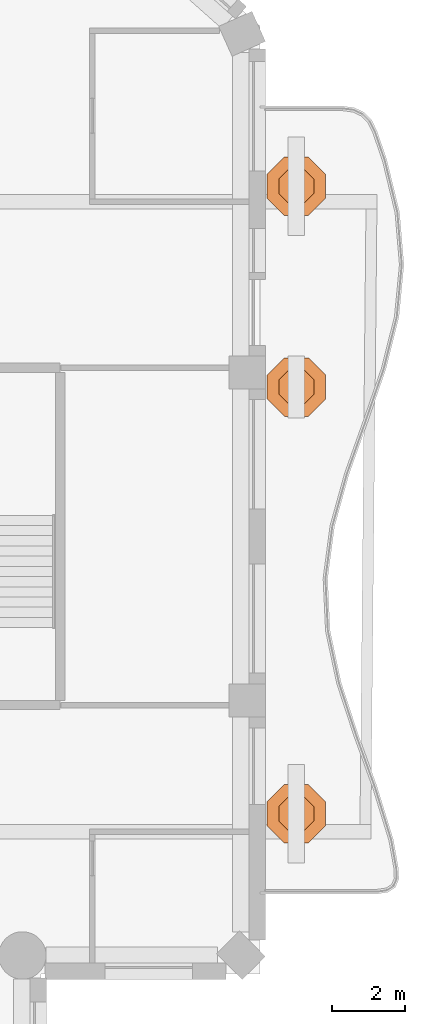
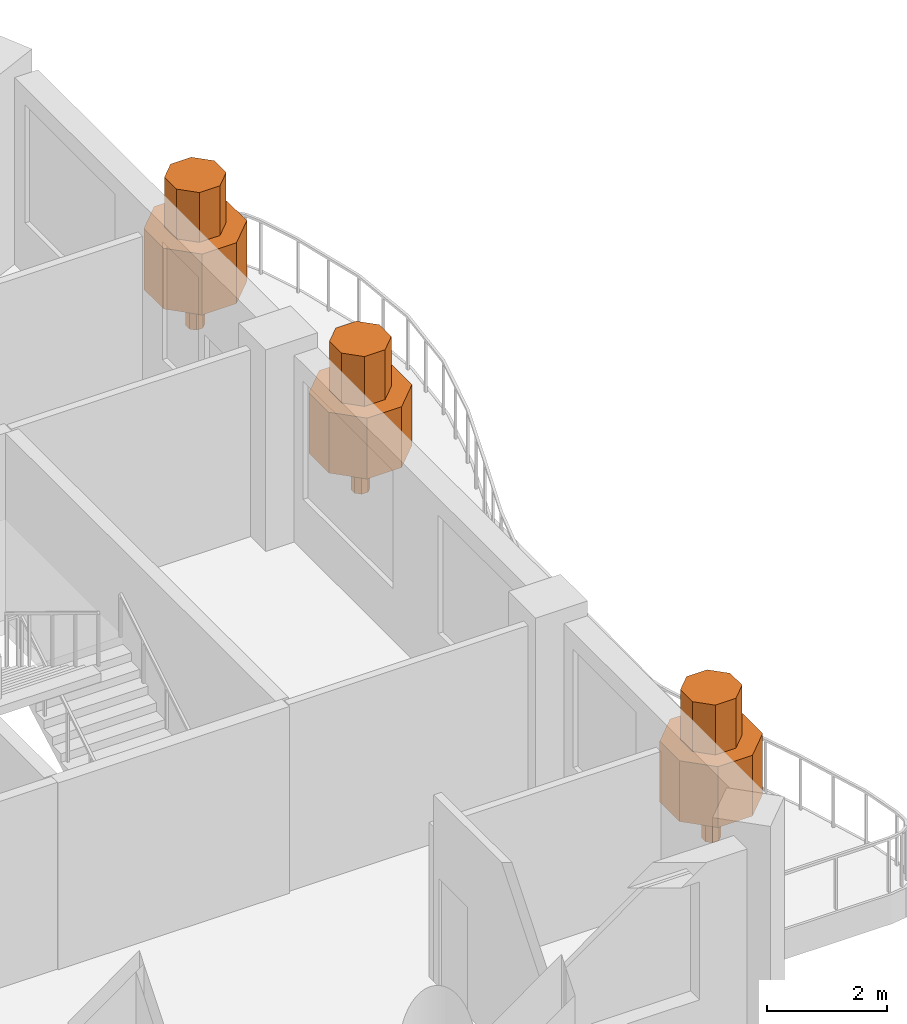
# One storey, part 14 of 14: 3 geographic elements.
"""IFC4 building model written with IfcOpenShell, lengths in metres."""

from ifc_helpers import new_model, si_unit, direction, frame, origin, place, context, subcontext, project, spatial, polyline, outline, extrude, material, type_object, element, save


model = new_model("IFC4")

# Units and contexts
model_context = context("Model", 3, precision=1e-05, world=origin(), true_north=direction((0.0, 1.0)))
body_context = subcontext(model_context, "Body", "Model", "MODEL_VIEW")
ifc_project = project(units=[si_unit("LENGTHUNIT", "METRE"), si_unit("AREAUNIT", "SQUARE_METRE"), si_unit("VOLUMEUNIT", "CUBIC_METRE"), si_unit("PLANEANGLEUNIT", "RADIAN"), si_unit("MASSUNIT", "GRAM", prefix="KILO")], contexts=[model_context])

# Site, building, storey
site_placement = place(None, origin())
site = spatial("IfcSite", under=ifc_project, at=site_placement, CompositionType="ELEMENT")
building_placement = place(site_placement, origin())
building = spatial("IfcBuilding", under=site, at=building_placement, Name="Cypress Arch Tower", CompositionType="ELEMENT")
storey_placement = place(building_placement, frame((0.0, 0.0, 296.699951171875)))
storey = spatial("IfcBuildingStorey", under=building, at=storey_placement, Name="L67", CompositionType="ELEMENT", Elevation=296.699951171875)

# Geographic elements
ifc_material = material(Name="Foliage and planting")
geographic_element_type = type_object("IfcGeographicElementType", Name="Balcony tree TR", PredefinedType="USERDEFINED", material=ifc_material)
for number, where, z_axis, x_axis, name in (
    (1, (25.60009765625, -7.60009765625, 0.60009765625), (0.0, 0.0, 1.0), (1.0, 0.0, 0.0), "Balcony tree L67-C17.1"),
    (2, (25.60009765625, 4.095703125, 0.60009765625), (0.0, 0.0, 1.0), (1.0, 0.0, 0.0), "Balcony tree L67-C17.2"),
    (3, (25.60009765625, 9.60009765625, 0.60009765625), (0.0, 0.0, 1.0), (1.0, 0.0, 0.0), "Balcony tree L67-C17.3"),
):
    element("IfcGeographicElement", number, at=place(storey_placement, frame(where, z_axis=z_axis, x_axis=x_axis)), inside=storey, type_object=geographic_element_type, Name=name, ObjectType="TREE", PredefinedType="USERDEFINED", context=body_context, shape_type="SweptSolid", body=[
        extrude(outline(polyline([(0.14990234375, 0.06201171875), (0.06201171875, 0.14990234375), (-0.06201171875, 0.14990234375), (-0.14990234375, 0.06201171875), (-0.14990234375, -0.06201171875), (-0.06201171875, -0.14990234375), (0.06201171875, -0.14990234375), (0.14990234375, -0.06201171875), (0.14990234375, 0.06201171875)])), origin(), (0.0, 0.0, 1.0), 0.89990234375),
        extrude(outline(polyline([(0.800048828125, 0.331298828125), (0.331298828125, 0.800048828125), (-0.331298828125, 0.800048828125), (-0.800048828125, 0.331298828125), (-0.800048828125, -0.331298828125), (-0.331298828125, -0.800048828125), (0.331298828125, -0.800048828125), (0.800048828125, -0.331298828125), (0.800048828125, 0.331298828125)])), frame((0.0, 0.0, 0.800048828125)), (0.0, 0.0, 1.0), 1.237548828125),
        extrude(outline(polyline([(0.47998046875, 0.19873046875), (0.19873046875, 0.47998046875), (-0.19873046875, 0.47998046875), (-0.47998046875, 0.19873046875), (-0.47998046875, -0.19873046875), (-0.19873046875, -0.47998046875), (0.19873046875, -0.47998046875), (0.47998046875, -0.19873046875), (0.47998046875, 0.19873046875)])), frame((0.0, 0.0, 2.03759765625)), (0.0, 0.0, 1.0), 1.012451171875),
    ])

save(model, "model.ifc")
